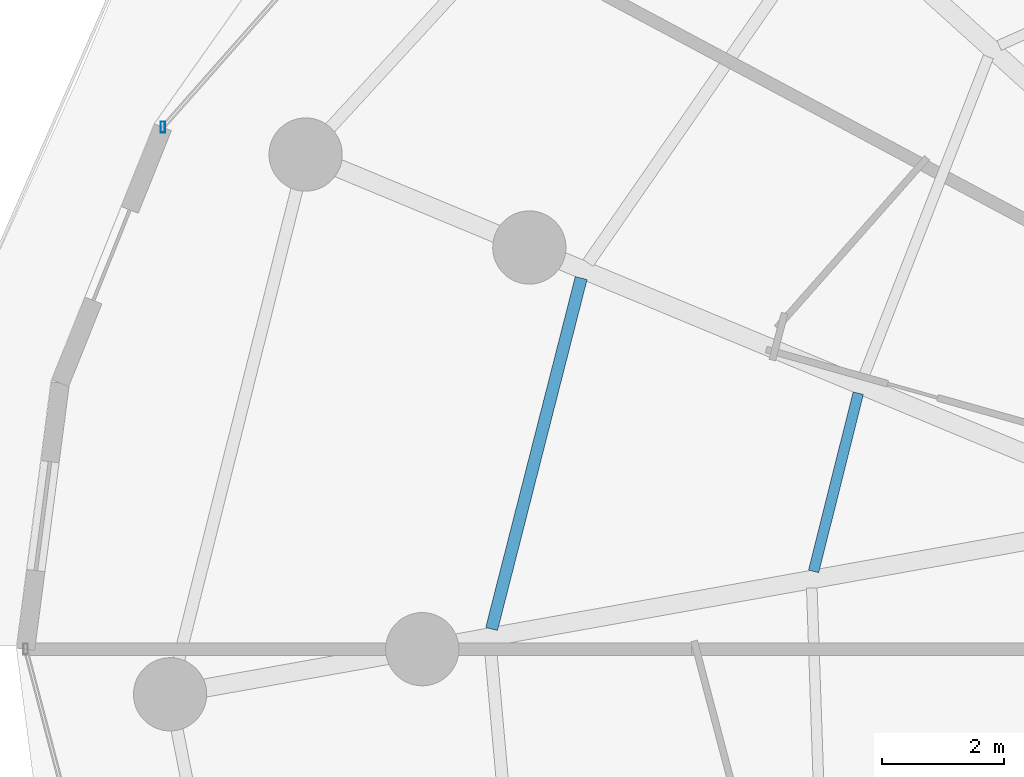
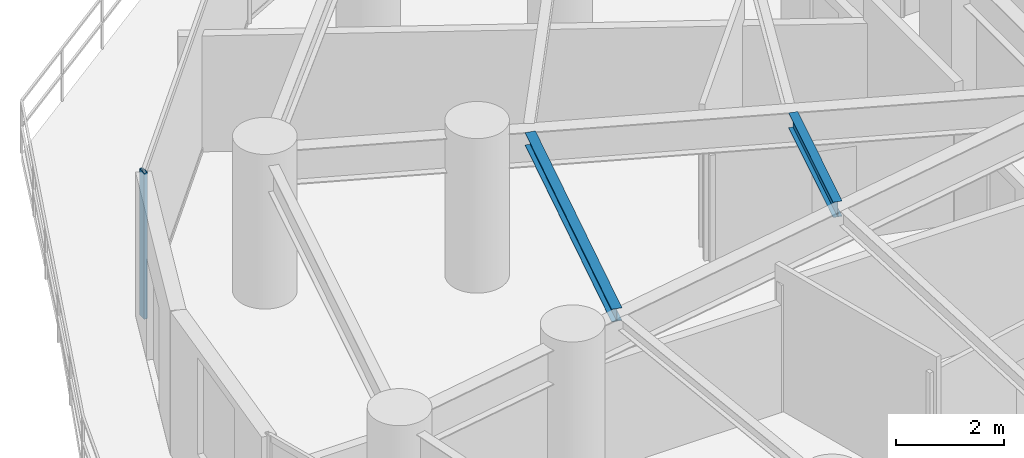
# One storey, part 10 of 34: 2 beams, 1 member, 1 element without a shape of its own.
"""IFC4 building model written with IfcOpenShell, lengths in metres."""

from ifc_helpers import new_model, si_unit, direction, frame, origin, origin_2d, place, context, subcontext, project, spatial, hollow_rectangle, i_section, extrude, material, material_profile, profile_set, type_object, element, aggregate, save


model = new_model("IFC4")

# Units and contexts
model_context = context("Model", 3, precision=1e-05, world=origin(), true_north=direction((0.0, 1.0)))
body_context = subcontext(model_context, "Body", "Model", "MODEL_VIEW")
ifc_project = project(units=[si_unit("LENGTHUNIT", "METRE"), si_unit("AREAUNIT", "SQUARE_METRE"), si_unit("VOLUMEUNIT", "CUBIC_METRE"), si_unit("PLANEANGLEUNIT", "RADIAN"), si_unit("MASSUNIT", "GRAM", prefix="KILO")], contexts=[model_context])

# Site, building, storey
site_placement = place(None, origin())
site = spatial("IfcSite", under=ifc_project, at=site_placement, CompositionType="ELEMENT")
building_placement = place(site_placement, origin())
building = spatial("IfcBuilding", under=site, at=building_placement, Name="Vorneva Point Tower", CompositionType="ELEMENT")
storey_placement = place(building_placement, frame((0.0, 0.0, 62.5)))
storey = spatial("IfcBuildingStorey", under=building, at=storey_placement, Name="L16", CompositionType="ELEMENT", Elevation=62.5)

# Beams
ifc_material_1 = material(Name="Steel S355", Category="steel")
ifc_material_profile_1 = material_profile(ifc_material_1, i_section(OverallWidth=0.199951171875, OverallDepth=0.291015625, WebThickness=0.008056640625, FlangeThickness=0.010986328125, at=origin_2d()), Name="30Sh1")
ifc_profile_set_1 = profile_set([ifc_material_profile_1], Name="Steel S355")
beam_type_1 = type_object("IfcBeamType", Name="BM-SEC-30Sh1", PredefinedType="BEAM", material=ifc_profile_set_1)
beam_1_placement = place(storey_placement, frame((17.55419921875, 32.081298828125, 3.094482421875), z_axis=(-0.247314222988, -0.968935330715, 0.0), x_axis=(0.968935330715, -0.247314222988, 0.0)))
element("IfcBeam", 1, at=beam_1_placement, inside=storey, type_object=beam_type_1, Name="L16 Secondary Floor Beam 1.08", PredefinedType="BEAM", context=body_context, shape_type="SweptSolid", body=[
    extrude(i_section(OverallWidth=0.199951171875, OverallDepth=0.291015625, WebThickness=0.008056640625, FlangeThickness=0.010986328125, at=origin_2d()), origin(), (0.0, 0.0, 1.0), 5.934814453125),
])
ifc_material_profile_2 = material_profile(ifc_material_1, i_section(OverallWidth=0.174072265625, OverallDepth=0.345947265625, WebThickness=0.006103515625, FlangeThickness=0.009033203125, at=origin_2d()), Name="35B1")
ifc_profile_set_2 = profile_set([ifc_material_profile_2], Name="Steel S355")
beam_type_2 = type_object("IfcBeamType", Name="BM-SEC-35B1", PredefinedType="BEAM", material=ifc_profile_set_2)
beam_2_placement = place(storey_placement, frame((22.094970703125, 30.1943359375, 3.06689453125), z_axis=(-0.24339428241, -0.969927431971, 0.0), x_axis=(0.969927431971, -0.24339428241, 0.0)))
element("IfcBeam", 2, at=beam_2_placement, inside=storey, type_object=beam_type_2, Name="L16 Secondary Floor Beam 2.08", PredefinedType="BEAM", context=body_context, shape_type="SweptSolid", body=[
    extrude(i_section(OverallWidth=0.174072265625, OverallDepth=0.345947265625, WebThickness=0.006103515625, FlangeThickness=0.009033203125, at=origin_2d()), origin(), (0.0, 0.0, 1.0), 3.01025390625),
])

# Curtain wall, member
ifc_material_2 = material(Name="Pale anodised aluminium", Category="aluminium")
curtain_wall_type = type_object("IfcCurtainWallType", Name="CW-HTL-SYS", PredefinedType="NOTDEFINED", material=ifc_material_2)
curtain_wall_placement = place(storey_placement, origin())
curtain_wall = element("IfcCurtainWall", 3, at=curtain_wall_placement, inside=storey, type_object=curtain_wall_type, Name="L16 Unitised Curtain Wall CW-L16-R02", PredefinedType="NOTDEFINED")
ifc_material_profile_3 = material_profile(ifc_material_2, hollow_rectangle(XDim=0.074951171875, YDim=0.179931640625, WallThickness=0.00390625, at=origin_2d()), Name="AL-MUL 180x75x4")
ifc_profile_set_3 = profile_set([ifc_material_profile_3], Name="Pale anodised aluminium")
member_type = type_object("IfcMemberType", Name="CW-MUL-180", PredefinedType="MULLION", material=ifc_profile_set_3)
member_placement = place(storey_placement, frame((10.699462890625, 34.552978515625, -0.0400390625), z_axis=(0.0, 0.0, 1.0), x_axis=(1.0, 0.0, 0.0)))
member = element("IfcMember", 4, at=member_placement, type_object=member_type, Name="CW-L16-R02 Mullion 06", PredefinedType="MULLION", context=body_context, shape_type="SweptSolid", body=[
    extrude(hollow_rectangle(XDim=0.074951171875, YDim=0.179931640625, WallThickness=0.00390625, at=origin_2d()), origin(), (0.0, 0.0, 1.0), 3.31005859375),
])
aggregate(curtain_wall, [member])

save(model, "model.ifc")
